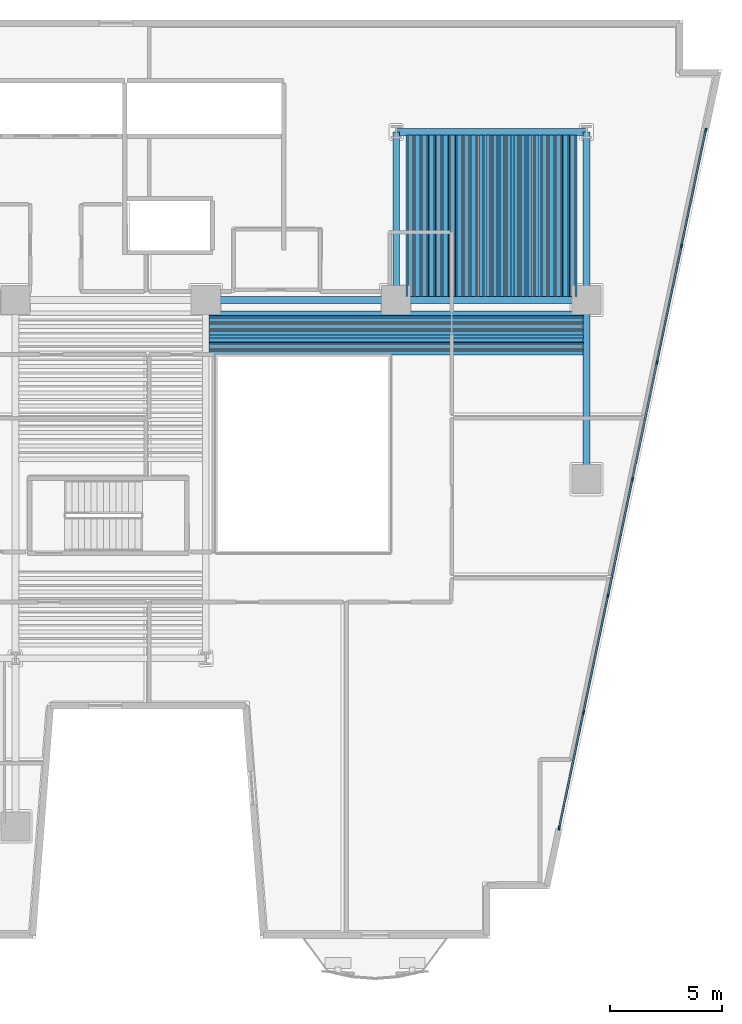
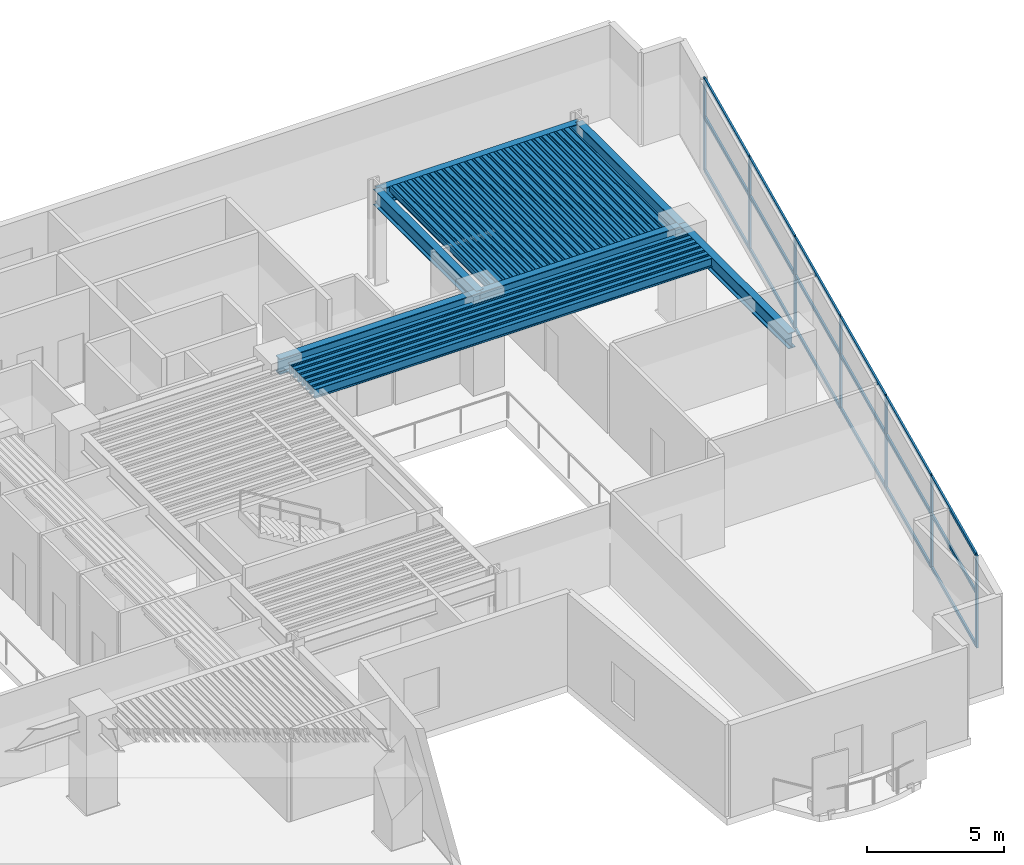
# One storey, part 2 of 11: 68 beams, 25 members, 1 element without a shape of its own.
"""IFC4 building model written with IfcOpenShell, lengths in metres."""

from ifc_helpers import new_model, si_unit, direction, frame, origin, origin_2d, place, context, subcontext, project, spatial, rectangle, hollow_rectangle, i_section, extrude, material, layer, layer_set, material_profile, profile_set, type_object, element, aggregate, save


model = new_model("IFC4")

# Units and contexts
model_context = context("Model", 3, precision=1e-05, world=origin(), true_north=direction((0.0, 1.0)))
body_context = subcontext(model_context, "Body", "Model", "MODEL_VIEW")
ifc_project = project(units=[si_unit("LENGTHUNIT", "METRE"), si_unit("AREAUNIT", "SQUARE_METRE"), si_unit("VOLUMEUNIT", "CUBIC_METRE"), si_unit("PLANEANGLEUNIT", "RADIAN"), si_unit("MASSUNIT", "GRAM", prefix="KILO")], contexts=[model_context])

# Site, building, storey
site_placement = place(None, origin())
site = spatial("IfcSite", under=ifc_project, at=site_placement, CompositionType="ELEMENT")
building_placement = place(site_placement, origin())
building = spatial("IfcBuilding", under=site, at=building_placement, Name="Caeloran Harvest Quay", CompositionType="ELEMENT")
storey_placement = place(building_placement, frame((0.0, 0.0, 62.199951171875)))
storey = spatial("IfcBuildingStorey", under=building, at=storey_placement, Name="L14", CompositionType="ELEMENT", Elevation=62.199951171875)

# Beams
ifc_material_1 = material(Name="Steel S355J2", Category="steel")
ifc_material_profile_1 = material_profile(ifc_material_1, i_section(OverallWidth=0.300048828125, OverallDepth=0.699951171875, WebThickness=0.01708984375, FlangeThickness=0.031982421875, FilletRadius=0.027099609375, at=origin_2d()), Name="HE 700 B")
ifc_profile_set_1 = profile_set([ifc_material_profile_1], Name="Steel S355J2")
beam_type_1 = type_object("IfcBeamType", Name="BM-PG-2-HE_700_B", PredefinedType="BEAM", material=ifc_profile_set_1)
for number, where, z_axis, x_axis, name in (
    (1, (34.0, 31.0, 3.75), (1.0, 0.0, 0.0), (0.0, 1.0, 0.0), "L14 Primary East-West Girder Y=31.0"),
    (2, (42.5, 31.0, 3.75), (1.0, 0.0, 0.0), (0.0, 1.0, 0.0), "L14 Primary East-West Girder Y=31.0"),
    (3, (42.5, 38.5, 3.75), (1.0, 0.0, 0.0), (0.0, 1.0, 0.0), "L14 Primary East-West Girder Y=38.5"),
):
    element("IfcBeam", number, at=place(storey_placement, frame(where, z_axis=z_axis, x_axis=x_axis)), inside=storey, type_object=beam_type_1, Name=name, PredefinedType="BEAM", context=body_context, shape_type="SweptSolid", body=[
        extrude(i_section(OverallWidth=0.300048828125, OverallDepth=0.699951171875, WebThickness=0.01708984375, FlangeThickness=0.031982421875, FilletRadius=0.027099609375, at=origin_2d()), origin(), (0.0, 0.0, 1.0), 8.5),
    ])
beam_1_placement = place(storey_placement, frame((42.5, 31.0, 3.75), z_axis=(0.0, 1.0, 0.0), x_axis=(-1.0, 0.0, 0.0)))
element("IfcBeam", 4, at=beam_1_placement, inside=storey, type_object=beam_type_1, Name="L14 Primary North-South Girder X=42.5", PredefinedType="BEAM", context=body_context, shape_type="SweptSolid", body=[
    extrude(i_section(OverallWidth=0.300048828125, OverallDepth=0.699951171875, WebThickness=0.01708984375, FlangeThickness=0.031982421875, FilletRadius=0.027099609375, at=origin_2d()), origin(), (0.0, 0.0, 1.0), 7.5),
])
beam_2_placement = place(storey_placement, frame((51.0, 23.0, 3.75), z_axis=(0.0, 1.0, 0.0), x_axis=(-1.0, 0.0, 0.0)))
element("IfcBeam", 5, at=beam_2_placement, inside=storey, type_object=beam_type_1, Name="L14 Primary North-South Girder X=51.0", PredefinedType="BEAM", context=body_context, shape_type="SweptSolid", body=[
    extrude(i_section(OverallWidth=0.300048828125, OverallDepth=0.699951171875, WebThickness=0.01708984375, FlangeThickness=0.031982421875, FilletRadius=0.027099609375, at=origin_2d()), origin(), (0.0, 0.0, 1.0), 8.0),
])
beam_3_placement = place(storey_placement, frame((51.0, 31.0, 3.75), z_axis=(0.0, 1.0, 0.0), x_axis=(-1.0, 0.0, 0.0)))
element("IfcBeam", 6, at=beam_3_placement, inside=storey, type_object=beam_type_1, Name="L14 Primary North-South Girder X=51.0", PredefinedType="BEAM", context=body_context, shape_type="SweptSolid", body=[
    extrude(i_section(OverallWidth=0.300048828125, OverallDepth=0.699951171875, WebThickness=0.01708984375, FlangeThickness=0.031982421875, FilletRadius=0.027099609375, at=origin_2d()), origin(), (0.0, 0.0, 1.0), 7.5),
])
ifc_material_profile_2 = material_profile(ifc_material_1, i_section(OverallWidth=0.179931640625, OverallDepth=0.39990234375, WebThickness=0.008544921875, FlangeThickness=0.013427734375, FilletRadius=0.02099609375, at=origin_2d()), Name="IPE 400")
ifc_profile_set_2 = profile_set([ifc_material_profile_2], Name="Steel S355J2")
beam_type_2 = type_object("IfcBeamType", Name="BM-SB-4-IPE_400", PredefinedType="JOIST", material=ifc_profile_set_2)
for number, where, z_axis, x_axis, name in (
    (7, (43.129638671875, 31.14501953125, 3.900146484375), (0.0, 1.0, 0.0), (-1.0, 0.0, 0.0), "L14 Secondary Composite Joist"),
    (8, (43.4443359375, 31.14501953125, 3.900146484375), (0.0, 1.0, 0.0), (-1.0, 0.0, 0.0), "L14 Secondary Composite Joist"),
    (9, (43.75927734375, 31.14501953125, 3.900146484375), (0.0, 1.0, 0.0), (-1.0, 0.0, 0.0), "L14 Secondary Composite Joist"),
    (10, (44.07421875, 31.14501953125, 3.900146484375), (0.0, 1.0, 0.0), (-1.0, 0.0, 0.0), "L14 Secondary Composite Joist"),
    (11, (44.388916015625, 31.14501953125, 3.900146484375), (0.0, 1.0, 0.0), (-1.0, 0.0, 0.0), "L14 Secondary Composite Joist"),
    (12, (44.70361328125, 31.14501953125, 3.900146484375), (0.0, 1.0, 0.0), (-1.0, 0.0, 0.0), "L14 Secondary Composite Joist"),
    (13, (45.0185546875, 31.14501953125, 3.900146484375), (0.0, 1.0, 0.0), (-1.0, 0.0, 0.0), "L14 Secondary Composite Joist"),
    (14, (45.333251953125, 31.14501953125, 3.900146484375), (0.0, 1.0, 0.0), (-1.0, 0.0, 0.0), "L14 Secondary Composite Joist"),
    (15, (45.648193359375, 31.14501953125, 3.900146484375), (0.0, 1.0, 0.0), (-1.0, 0.0, 0.0), "L14 Secondary Composite Joist"),
    (16, (45.962890625, 31.14501953125, 3.900146484375), (0.0, 1.0, 0.0), (-1.0, 0.0, 0.0), "L14 Secondary Composite Joist"),
    (17, (46.27783203125, 31.14501953125, 3.900146484375), (0.0, 1.0, 0.0), (-1.0, 0.0, 0.0), "L14 Secondary Composite Joist"),
    (18, (46.592529296875, 31.14501953125, 3.900146484375), (0.0, 1.0, 0.0), (-1.0, 0.0, 0.0), "L14 Secondary Composite Joist"),
    (19, (46.907470703125, 31.14501953125, 3.900146484375), (0.0, 1.0, 0.0), (-1.0, 0.0, 0.0), "L14 Secondary Composite Joist"),
    (20, (47.22216796875, 31.14501953125, 3.900146484375), (0.0, 1.0, 0.0), (-1.0, 0.0, 0.0), "L14 Secondary Composite Joist"),
    (21, (47.537109375, 31.14501953125, 3.900146484375), (0.0, 1.0, 0.0), (-1.0, 0.0, 0.0), "L14 Secondary Composite Joist"),
    (22, (47.851806640625, 31.14501953125, 3.900146484375), (0.0, 1.0, 0.0), (-1.0, 0.0, 0.0), "L14 Secondary Composite Joist"),
    (23, (48.166748046875, 31.14501953125, 3.900146484375), (0.0, 1.0, 0.0), (-1.0, 0.0, 0.0), "L14 Secondary Composite Joist"),
    (24, (48.4814453125, 31.14501953125, 3.900146484375), (0.0, 1.0, 0.0), (-1.0, 0.0, 0.0), "L14 Secondary Composite Joist"),
    (25, (48.79638671875, 31.14501953125, 3.900146484375), (0.0, 1.0, 0.0), (-1.0, 0.0, 0.0), "L14 Secondary Composite Joist"),
    (26, (49.111083984375, 31.14501953125, 3.900146484375), (0.0, 1.0, 0.0), (-1.0, 0.0, 0.0), "L14 Secondary Composite Joist"),
    (27, (49.42578125, 31.14501953125, 3.900146484375), (0.0, 1.0, 0.0), (-1.0, 0.0, 0.0), "L14 Secondary Composite Joist"),
    (28, (49.74072265625, 31.14501953125, 3.900146484375), (0.0, 1.0, 0.0), (-1.0, 0.0, 0.0), "L14 Secondary Composite Joist"),
    (29, (50.0556640625, 31.14501953125, 3.900146484375), (0.0, 1.0, 0.0), (-1.0, 0.0, 0.0), "L14 Secondary Composite Joist"),
    (30, (50.370361328125, 31.14501953125, 3.900146484375), (0.0, 1.0, 0.0), (-1.0, 0.0, 0.0), "L14 Secondary Composite Joist"),
):
    element("IfcBeam", number, at=place(storey_placement, frame(where, z_axis=z_axis, x_axis=x_axis)), inside=storey, type_object=beam_type_2, Name=name, PredefinedType="JOIST", context=body_context, shape_type="SweptSolid", body=[
        extrude(i_section(OverallWidth=0.179931640625, OverallDepth=0.39990234375, WebThickness=0.008544921875, FlangeThickness=0.013427734375, FilletRadius=0.02099609375, at=origin_2d()), origin(), (0.0, 0.0, 1.0), 7.2099609375),
    ])
for number, where, z_axis, x_axis, name in (
    (31, (34.14501953125, 28.629638671875, 3.900146484375), (1.0, 0.0, 0.0), (0.0, 1.0, 0.0), "L14 Secondary East-West Composite Joist"),
    (32, (34.14501953125, 28.92578125, 3.900146484375), (1.0, 0.0, 0.0), (0.0, 1.0, 0.0), "L14 Secondary East-West Composite Joist"),
    (33, (34.14501953125, 29.22216796875, 3.900146484375), (1.0, 0.0, 0.0), (0.0, 1.0, 0.0), "L14 Secondary East-West Composite Joist"),
    (34, (34.14501953125, 29.5185546875, 3.900146484375), (1.0, 0.0, 0.0), (0.0, 1.0, 0.0), "L14 Secondary East-West Composite Joist"),
    (35, (34.14501953125, 29.814697265625, 3.900146484375), (1.0, 0.0, 0.0), (0.0, 1.0, 0.0), "L14 Secondary East-West Composite Joist"),
    (36, (34.14501953125, 30.111083984375, 3.900146484375), (1.0, 0.0, 0.0), (0.0, 1.0, 0.0), "L14 Secondary East-West Composite Joist"),
    (37, (34.14501953125, 30.407470703125, 3.900146484375), (1.0, 0.0, 0.0), (0.0, 1.0, 0.0), "L14 Secondary East-West Composite Joist"),
):
    element("IfcBeam", number, at=place(storey_placement, frame(where, z_axis=z_axis, x_axis=x_axis)), inside=storey, type_object=beam_type_2, Name=name, PredefinedType="JOIST", context=body_context, shape_type="SweptSolid", body=[
        extrude(i_section(OverallWidth=0.179931640625, OverallDepth=0.39990234375, WebThickness=0.008544921875, FlangeThickness=0.013427734375, FilletRadius=0.02099609375, at=origin_2d()), origin(), (0.0, 0.0, 1.0), 16.7099609375),
    ])
ifc_material_profile_3 = material_profile(ifc_material_1, hollow_rectangle(XDim=0.080078125, YDim=0.199951171875, WallThickness=0.006103515625, InnerFilletRadius=0.006103515625, OuterFilletRadius=0.009033203125, at=origin_2d()), Name="RHS 200x80x6")
ifc_profile_set_3 = profile_set([ifc_material_profile_3], Name="Steel S355J2")
beam_type_3 = type_object("IfcBeamType", Name="BM-SB-7-RHS_200x80x6", PredefinedType="JOIST", material=ifc_profile_set_3)
for number, where, z_axis, x_axis, name in (
    (38, (42.97216796875, 31.14501953125, 4.0), (0.0, 1.0, 0.0), (-1.0, 0.0, 0.0), "L14 Secondary Composite Joist"),
    (39, (43.287109375, 31.14501953125, 4.0), (0.0, 1.0, 0.0), (-1.0, 0.0, 0.0), "L14 Secondary Composite Joist"),
    (40, (43.601806640625, 31.14501953125, 4.0), (0.0, 1.0, 0.0), (-1.0, 0.0, 0.0), "L14 Secondary Composite Joist"),
    (41, (43.916748046875, 31.14501953125, 4.0), (0.0, 1.0, 0.0), (-1.0, 0.0, 0.0), "L14 Secondary Composite Joist"),
    (42, (44.2314453125, 31.14501953125, 4.0), (0.0, 1.0, 0.0), (-1.0, 0.0, 0.0), "L14 Secondary Composite Joist"),
    (43, (44.54638671875, 31.14501953125, 4.0), (0.0, 1.0, 0.0), (-1.0, 0.0, 0.0), "L14 Secondary Composite Joist"),
    (44, (44.861083984375, 31.14501953125, 4.0), (0.0, 1.0, 0.0), (-1.0, 0.0, 0.0), "L14 Secondary Composite Joist"),
    (45, (45.17578125, 31.14501953125, 4.0), (0.0, 1.0, 0.0), (-1.0, 0.0, 0.0), "L14 Secondary Composite Joist"),
    (46, (45.49072265625, 31.14501953125, 4.0), (0.0, 1.0, 0.0), (-1.0, 0.0, 0.0), "L14 Secondary Composite Joist"),
    (47, (45.8056640625, 31.14501953125, 4.0), (0.0, 1.0, 0.0), (-1.0, 0.0, 0.0), "L14 Secondary Composite Joist"),
    (48, (46.120361328125, 31.14501953125, 4.0), (0.0, 1.0, 0.0), (-1.0, 0.0, 0.0), "L14 Secondary Composite Joist"),
    (49, (46.435302734375, 31.14501953125, 4.0), (0.0, 1.0, 0.0), (-1.0, 0.0, 0.0), "L14 Secondary Composite Joist"),
    (50, (46.75, 31.14501953125, 4.0), (0.0, 1.0, 0.0), (-1.0, 0.0, 0.0), "L14 Secondary Composite Joist"),
    (51, (47.064697265625, 31.14501953125, 4.0), (0.0, 1.0, 0.0), (-1.0, 0.0, 0.0), "L14 Secondary Composite Joist"),
    (52, (47.379638671875, 31.14501953125, 4.0), (0.0, 1.0, 0.0), (-1.0, 0.0, 0.0), "L14 Secondary Composite Joist"),
    (53, (47.6943359375, 31.14501953125, 4.0), (0.0, 1.0, 0.0), (-1.0, 0.0, 0.0), "L14 Secondary Composite Joist"),
    (54, (48.00927734375, 31.14501953125, 4.0), (0.0, 1.0, 0.0), (-1.0, 0.0, 0.0), "L14 Secondary Composite Joist"),
    (55, (48.32421875, 31.14501953125, 4.0), (0.0, 1.0, 0.0), (-1.0, 0.0, 0.0), "L14 Secondary Composite Joist"),
    (56, (48.638916015625, 31.14501953125, 4.0), (0.0, 1.0, 0.0), (-1.0, 0.0, 0.0), "L14 Secondary Composite Joist"),
    (57, (48.95361328125, 31.14501953125, 4.0), (0.0, 1.0, 0.0), (-1.0, 0.0, 0.0), "L14 Secondary Composite Joist"),
    (58, (49.2685546875, 31.14501953125, 4.0), (0.0, 1.0, 0.0), (-1.0, 0.0, 0.0), "L14 Secondary Composite Joist"),
    (59, (49.583251953125, 31.14501953125, 4.0), (0.0, 1.0, 0.0), (-1.0, 0.0, 0.0), "L14 Secondary Composite Joist"),
    (60, (49.898193359375, 31.14501953125, 4.0), (0.0, 1.0, 0.0), (-1.0, 0.0, 0.0), "L14 Secondary Composite Joist"),
    (61, (50.212890625, 31.14501953125, 4.0), (0.0, 1.0, 0.0), (-1.0, 0.0, 0.0), "L14 Secondary Composite Joist"),
    (62, (50.52783203125, 31.14501953125, 4.0), (0.0, 1.0, 0.0), (-1.0, 0.0, 0.0), "L14 Secondary Composite Joist"),
):
    element("IfcBeam", number, at=place(storey_placement, frame(where, z_axis=z_axis, x_axis=x_axis)), inside=storey, type_object=beam_type_3, Name=name, PredefinedType="JOIST", context=body_context, shape_type="SweptSolid", body=[
        extrude(hollow_rectangle(XDim=0.080078125, YDim=0.199951171875, WallThickness=0.006103515625, InnerFilletRadius=0.006103515625, OuterFilletRadius=0.009033203125, at=origin_2d()), origin(), (0.0, 0.0, 1.0), 7.2099609375),
    ])
for number, where, z_axis, x_axis, name in (
    (63, (34.14501953125, 28.77783203125, 4.0), (1.0, 0.0, 0.0), (0.0, 1.0, 0.0), "L14 Secondary East-West Composite Joist"),
    (64, (34.14501953125, 29.07421875, 4.0), (1.0, 0.0, 0.0), (0.0, 1.0, 0.0), "L14 Secondary East-West Composite Joist"),
    (65, (34.14501953125, 29.370361328125, 4.0), (1.0, 0.0, 0.0), (0.0, 1.0, 0.0), "L14 Secondary East-West Composite Joist"),
    (66, (34.14501953125, 29.666748046875, 4.0), (1.0, 0.0, 0.0), (0.0, 1.0, 0.0), "L14 Secondary East-West Composite Joist"),
    (67, (34.14501953125, 29.962890625, 4.0), (1.0, 0.0, 0.0), (0.0, 1.0, 0.0), "L14 Secondary East-West Composite Joist"),
    (68, (34.14501953125, 30.25927734375, 4.0), (1.0, 0.0, 0.0), (0.0, 1.0, 0.0), "L14 Secondary East-West Composite Joist"),
):
    element("IfcBeam", number, at=place(storey_placement, frame(where, z_axis=z_axis, x_axis=x_axis)), inside=storey, type_object=beam_type_3, Name=name, PredefinedType="JOIST", context=body_context, shape_type="SweptSolid", body=[
        extrude(hollow_rectangle(XDim=0.080078125, YDim=0.199951171875, WallThickness=0.006103515625, InnerFilletRadius=0.006103515625, OuterFilletRadius=0.009033203125, at=origin_2d()), origin(), (0.0, 0.0, 1.0), 16.7099609375),
    ])

# Curtain wall, members
ifc_material_2 = material(Name="Aluminium 6063-T6 and Low-E Glazing", Category="aluminium")
ifc_layer = layer(ifc_material_2, 0.199951171875, Name="Aluminium 6063-T6 and Low-E Glazing")
ifc_layer_set = layer_set([ifc_layer], Name="Aluminium 6063-T6 and Low-E Glazing")
curtain_wall_type = type_object("IfcCurtainWallType", Name="CW-SYS-CW-2", PredefinedType="USERDEFINED", material=ifc_layer_set)
curtain_wall_placement = place(storey_placement, origin())
curtain_wall = element("IfcCurtainWall", 69, at=curtain_wall_placement, inside=storey, type_object=curtain_wall_type, Name="L14 Unitised Curtain Wall CW-2 Run 9", ObjectType="CURTAIN_WALL", PredefinedType="USERDEFINED")
ifc_material_3 = material(Name="Aluminium 6063-T6", Category="aluminium")
ifc_material_profile_4 = material_profile(ifc_material_3, rectangle(XDim=0.080078125, YDim=0.179931640625, at=origin_2d()), Name="CW-MULLION-180")
ifc_profile_set_4 = profile_set([ifc_material_profile_4], Name="Aluminium 6063-T6")
member_type_1 = type_object("IfcMemberType", Name="CW-MULLION-180", PredefinedType="MULLION", material=ifc_profile_set_4)
member_1_placement = place(storey_placement, frame((56.322509765625, 38.576416015625, 0.0), z_axis=(0.0, 0.0, 1.0), x_axis=(0.978639691881, -0.205582960081, 0.0)))
member_1 = element("IfcMember", 70, at=member_1_placement, type_object=member_type_1, Name="CW-2 mullion 1", PredefinedType="MULLION", context=body_context, shape_type="SweptSolid", body=[
    extrude(rectangle(XDim=0.080078125, YDim=0.179931640625, at=origin_2d()), origin(), (0.0, 0.0, 1.0), 4.10009765625),
])
member_2_placement = place(storey_placement, frame((55.2373046875, 33.410400390625, 0.0), z_axis=(0.0, 0.0, 1.0), x_axis=(0.978639691881, -0.205582960081, 0.0)))
member_2 = element("IfcMember", 71, at=member_2_placement, type_object=member_type_1, Name="CW-2 mullion 2", PredefinedType="MULLION", context=body_context, shape_type="SweptSolid", body=[
    extrude(rectangle(XDim=0.080078125, YDim=0.179931640625, at=origin_2d()), origin(), (0.0, 0.0, 1.0), 4.10009765625),
])
member_3_placement = place(storey_placement, frame((54.143798828125, 28.205078125, 0.0), z_axis=(0.0, 0.0, 1.0), x_axis=(0.978639691881, -0.205582960081, 0.0)))
member_3 = element("IfcMember", 72, at=member_3_placement, type_object=member_type_1, Name="CW-2 mullion 3", PredefinedType="MULLION", context=body_context, shape_type="SweptSolid", body=[
    extrude(rectangle(XDim=0.080078125, YDim=0.179931640625, at=origin_2d()), origin(), (0.0, 0.0, 1.0), 4.10009765625),
])
member_4_placement = place(storey_placement, frame((53.050537109375, 23.0, 0.0), z_axis=(0.0, 0.0, 1.0), x_axis=(0.978639691881, -0.205582960081, 0.0)))
member_4 = element("IfcMember", 73, at=member_4_placement, type_object=member_type_1, Name="CW-2 mullion 4", PredefinedType="MULLION", context=body_context, shape_type="SweptSolid", body=[
    extrude(rectangle(XDim=0.080078125, YDim=0.179931640625, at=origin_2d()), origin(), (0.0, 0.0, 1.0), 4.10009765625),
])
member_5_placement = place(storey_placement, frame((51.95703125, 17.794921875, 0.0), z_axis=(0.0, 0.0, 1.0), x_axis=(0.978639691881, -0.205582960081, 0.0)))
member_5 = element("IfcMember", 74, at=member_5_placement, type_object=member_type_1, Name="CW-2 mullion 5", PredefinedType="MULLION", context=body_context, shape_type="SweptSolid", body=[
    extrude(rectangle(XDim=0.080078125, YDim=0.179931640625, at=origin_2d()), origin(), (0.0, 0.0, 1.0), 4.10009765625),
])
member_6_placement = place(storey_placement, frame((50.863525390625, 12.589599609375, 0.0), z_axis=(0.0, 0.0, 1.0), x_axis=(0.978639691881, -0.205582960081, 0.0)))
member_6 = element("IfcMember", 75, at=member_6_placement, type_object=member_type_1, Name="CW-2 mullion 6", PredefinedType="MULLION", context=body_context, shape_type="SweptSolid", body=[
    extrude(rectangle(XDim=0.080078125, YDim=0.179931640625, at=origin_2d()), origin(), (0.0, 0.0, 1.0), 4.10009765625),
])
member_7_placement = place(storey_placement, frame((49.7783203125, 7.423583984375, 0.0), z_axis=(0.0, 0.0, 1.0), x_axis=(0.978639691881, -0.205582960081, 0.0)))
member_7 = element("IfcMember", 76, at=member_7_placement, type_object=member_type_1, Name="CW-2 mullion 7", PredefinedType="MULLION", context=body_context, shape_type="SweptSolid", body=[
    extrude(rectangle(XDim=0.080078125, YDim=0.179931640625, at=origin_2d()), origin(), (0.0, 0.0, 1.0), 4.10009765625),
])
ifc_material_profile_5 = material_profile(ifc_material_3, rectangle(XDim=0.080078125, YDim=0.14990234375, at=origin_2d()), Name="CW-TRANSOM-150")
ifc_profile_set_5 = profile_set([ifc_material_profile_5], Name="Aluminium 6063-T6")
member_type_2 = type_object("IfcMemberType", Name="CW-TRANSOM-150", PredefinedType="USERDEFINED", material=ifc_profile_set_5)
member_8_placement = place(storey_placement, frame((56.314453125, 38.537109375, 0.0400390625), z_axis=(-0.205598644178, -0.978636396989, 0.0), x_axis=(0.978636396989, -0.205598644178, 0.0)))
member_8 = element("IfcMember", 77, at=member_8_placement, type_object=member_type_2, Name="CW-2 transom 1.1", ObjectType="TRANSOM", PredefinedType="USERDEFINED", context=body_context, shape_type="SweptSolid", body=[
    extrude(rectangle(XDim=0.080078125, YDim=0.14990234375, at=origin_2d()), origin(), (0.0, 0.0, 1.0), 5.19873046875),
])
member_9_placement = place(storey_placement, frame((56.314453125, 38.537109375, 2.400146484375), z_axis=(-0.205598644178, -0.978636396989, 0.0), x_axis=(0.978636396989, -0.205598644178, 0.0)))
member_9 = element("IfcMember", 78, at=member_9_placement, type_object=member_type_2, Name="CW-2 transom 1.2", ObjectType="TRANSOM", PredefinedType="USERDEFINED", context=body_context, shape_type="SweptSolid", body=[
    extrude(rectangle(XDim=0.080078125, YDim=0.14990234375, at=origin_2d()), origin(), (0.0, 0.0, 1.0), 5.19873046875),
])
member_10_placement = place(storey_placement, frame((56.314453125, 38.537109375, 4.06005859375), z_axis=(-0.205598644178, -0.978636396989, 0.0), x_axis=(0.978636396989, -0.205598644178, 0.0)))
member_10 = element("IfcMember", 79, at=member_10_placement, type_object=member_type_2, Name="CW-2 transom 1.3", ObjectType="TRANSOM", PredefinedType="USERDEFINED", context=body_context, shape_type="SweptSolid", body=[
    extrude(rectangle(XDim=0.080078125, YDim=0.14990234375, at=origin_2d()), origin(), (0.0, 0.0, 1.0), 5.19873046875),
])
member_11_placement = place(storey_placement, frame((55.229248046875, 33.37109375, 0.0400390625), z_axis=(-0.205615877389, -0.97863277636, 0.0), x_axis=(0.97863277636, -0.205615877389, 0.0)))
member_11 = element("IfcMember", 80, at=member_11_placement, type_object=member_type_2, Name="CW-2 transom 2.1", ObjectType="TRANSOM", PredefinedType="USERDEFINED", context=body_context, shape_type="SweptSolid", body=[
    extrude(rectangle(XDim=0.080078125, YDim=0.14990234375, at=origin_2d()), origin(), (0.0, 0.0, 1.0), 5.238525390625),
])
member_12_placement = place(storey_placement, frame((55.229248046875, 33.37109375, 2.400146484375), z_axis=(-0.205615877389, -0.97863277636, 0.0), x_axis=(0.97863277636, -0.205615877389, 0.0)))
member_12 = element("IfcMember", 81, at=member_12_placement, type_object=member_type_2, Name="CW-2 transom 2.2", ObjectType="TRANSOM", PredefinedType="USERDEFINED", context=body_context, shape_type="SweptSolid", body=[
    extrude(rectangle(XDim=0.080078125, YDim=0.14990234375, at=origin_2d()), origin(), (0.0, 0.0, 1.0), 5.238525390625),
])
member_13_placement = place(storey_placement, frame((55.229248046875, 33.37109375, 4.06005859375), z_axis=(-0.205615877389, -0.97863277636, 0.0), x_axis=(0.97863277636, -0.205615877389, 0.0)))
member_13 = element("IfcMember", 82, at=member_13_placement, type_object=member_type_2, Name="CW-2 transom 2.3", ObjectType="TRANSOM", PredefinedType="USERDEFINED", context=body_context, shape_type="SweptSolid", body=[
    extrude(rectangle(XDim=0.080078125, YDim=0.14990234375, at=origin_2d()), origin(), (0.0, 0.0, 1.0), 5.238525390625),
])
member_14_placement = place(storey_placement, frame((54.1357421875, 28.166015625, 0.0400390625), z_axis=(-0.205606500081, -0.978634746534, 0.0), x_axis=(0.978634746534, -0.205606500081, 0.0)))
member_14 = element("IfcMember", 83, at=member_14_placement, type_object=member_type_2, Name="CW-2 transom 3.1", ObjectType="TRANSOM", PredefinedType="USERDEFINED", context=body_context, shape_type="SweptSolid", body=[
    extrude(rectangle(XDim=0.080078125, YDim=0.14990234375, at=origin_2d()), origin(), (0.0, 0.0, 1.0), 5.23876953125),
])
member_15_placement = place(storey_placement, frame((54.1357421875, 28.166015625, 2.400146484375), z_axis=(-0.205606500081, -0.978634746534, 0.0), x_axis=(0.978634746534, -0.205606500081, 0.0)))
member_15 = element("IfcMember", 84, at=member_15_placement, type_object=member_type_2, Name="CW-2 transom 3.2", ObjectType="TRANSOM", PredefinedType="USERDEFINED", context=body_context, shape_type="SweptSolid", body=[
    extrude(rectangle(XDim=0.080078125, YDim=0.14990234375, at=origin_2d()), origin(), (0.0, 0.0, 1.0), 5.23876953125),
])
member_16_placement = place(storey_placement, frame((54.1357421875, 28.166015625, 4.06005859375), z_axis=(-0.205606500081, -0.978634746534, 0.0), x_axis=(0.978634746534, -0.205606500081, 0.0)))
member_16 = element("IfcMember", 85, at=member_16_placement, type_object=member_type_2, Name="CW-2 transom 3.3", ObjectType="TRANSOM", PredefinedType="USERDEFINED", context=body_context, shape_type="SweptSolid", body=[
    extrude(rectangle(XDim=0.080078125, YDim=0.14990234375, at=origin_2d()), origin(), (0.0, 0.0, 1.0), 5.23876953125),
])
member_17_placement = place(storey_placement, frame((53.042236328125, 22.9609375, 0.0400390625), z_axis=(-0.205561867825, -0.978644122496, 0.0), x_axis=(0.978644122496, -0.205561867825, 0.0)))
member_17 = element("IfcMember", 86, at=member_17_placement, type_object=member_type_2, Name="CW-2 transom 4.1", ObjectType="TRANSOM", PredefinedType="USERDEFINED", context=body_context, shape_type="SweptSolid", body=[
    extrude(rectangle(XDim=0.080078125, YDim=0.14990234375, at=origin_2d()), origin(), (0.0, 0.0, 1.0), 5.23876953125),
])
member_18_placement = place(storey_placement, frame((53.042236328125, 22.9609375, 2.400146484375), z_axis=(-0.205561867825, -0.978644122496, 0.0), x_axis=(0.978644122496, -0.205561867825, 0.0)))
member_18 = element("IfcMember", 87, at=member_18_placement, type_object=member_type_2, Name="CW-2 transom 4.2", ObjectType="TRANSOM", PredefinedType="USERDEFINED", context=body_context, shape_type="SweptSolid", body=[
    extrude(rectangle(XDim=0.080078125, YDim=0.14990234375, at=origin_2d()), origin(), (0.0, 0.0, 1.0), 5.23876953125),
])
member_19_placement = place(storey_placement, frame((53.042236328125, 22.9609375, 4.06005859375), z_axis=(-0.205561867825, -0.978644122496, 0.0), x_axis=(0.978644122496, -0.205561867825, 0.0)))
member_19 = element("IfcMember", 88, at=member_19_placement, type_object=member_type_2, Name="CW-2 transom 4.3", ObjectType="TRANSOM", PredefinedType="USERDEFINED", context=body_context, shape_type="SweptSolid", body=[
    extrude(rectangle(XDim=0.080078125, YDim=0.14990234375, at=origin_2d()), origin(), (0.0, 0.0, 1.0), 5.23876953125),
])
member_20_placement = place(storey_placement, frame((51.94873046875, 17.755615234375, 0.0400390625), z_axis=(-0.205571243277, -0.978642153158, 0.0), x_axis=(0.978642153158, -0.205571243277, 0.0)))
member_20 = element("IfcMember", 89, at=member_20_placement, type_object=member_type_2, Name="CW-2 transom 5.1", ObjectType="TRANSOM", PredefinedType="USERDEFINED", context=body_context, shape_type="SweptSolid", body=[
    extrude(rectangle(XDim=0.080078125, YDim=0.14990234375, at=origin_2d()), origin(), (0.0, 0.0, 1.0), 5.238525390625),
])
member_21_placement = place(storey_placement, frame((51.94873046875, 17.755615234375, 2.400146484375), z_axis=(-0.205571243277, -0.978642153158, 0.0), x_axis=(0.978642153158, -0.205571243277, 0.0)))
member_21 = element("IfcMember", 90, at=member_21_placement, type_object=member_type_2, Name="CW-2 transom 5.2", ObjectType="TRANSOM", PredefinedType="USERDEFINED", context=body_context, shape_type="SweptSolid", body=[
    extrude(rectangle(XDim=0.080078125, YDim=0.14990234375, at=origin_2d()), origin(), (0.0, 0.0, 1.0), 5.238525390625),
])
member_22_placement = place(storey_placement, frame((51.94873046875, 17.755615234375, 4.06005859375), z_axis=(-0.205571243277, -0.978642153158, 0.0), x_axis=(0.978642153158, -0.205571243277, 0.0)))
member_22 = element("IfcMember", 91, at=member_22_placement, type_object=member_type_2, Name="CW-2 transom 5.3", ObjectType="TRANSOM", PredefinedType="USERDEFINED", context=body_context, shape_type="SweptSolid", body=[
    extrude(rectangle(XDim=0.080078125, YDim=0.14990234375, at=origin_2d()), origin(), (0.0, 0.0, 1.0), 5.238525390625),
])
member_23_placement = place(storey_placement, frame((50.855224609375, 12.550537109375, 0.0400390625), z_axis=(-0.205553666865, -0.978645845052, 0.0), x_axis=(0.978645845052, -0.205553666865, 0.0)))
member_23 = element("IfcMember", 92, at=member_23_placement, type_object=member_type_2, Name="CW-2 transom 6.1", ObjectType="TRANSOM", PredefinedType="USERDEFINED", context=body_context, shape_type="SweptSolid", body=[
    extrude(rectangle(XDim=0.080078125, YDim=0.14990234375, at=origin_2d()), origin(), (0.0, 0.0, 1.0), 5.19873046875),
])
member_24_placement = place(storey_placement, frame((50.855224609375, 12.550537109375, 2.400146484375), z_axis=(-0.205553666865, -0.978645845052, 0.0), x_axis=(0.978645845052, -0.205553666865, 0.0)))
member_24 = element("IfcMember", 93, at=member_24_placement, type_object=member_type_2, Name="CW-2 transom 6.2", ObjectType="TRANSOM", PredefinedType="USERDEFINED", context=body_context, shape_type="SweptSolid", body=[
    extrude(rectangle(XDim=0.080078125, YDim=0.14990234375, at=origin_2d()), origin(), (0.0, 0.0, 1.0), 5.19873046875),
])
member_25_placement = place(storey_placement, frame((50.855224609375, 12.550537109375, 4.06005859375), z_axis=(-0.205553666865, -0.978645845052, 0.0), x_axis=(0.978645845052, -0.205553666865, 0.0)))
member_25 = element("IfcMember", 94, at=member_25_placement, type_object=member_type_2, Name="CW-2 transom 6.3", ObjectType="TRANSOM", PredefinedType="USERDEFINED", context=body_context, shape_type="SweptSolid", body=[
    extrude(rectangle(XDim=0.080078125, YDim=0.14990234375, at=origin_2d()), origin(), (0.0, 0.0, 1.0), 5.19873046875),
])
aggregate(curtain_wall, [member_1, member_2, member_3, member_4, member_5, member_6, member_7, member_8, member_9, member_10, member_11, member_12, member_13, member_14, member_15, member_16, member_17, member_18, member_19, member_20, member_21, member_22, member_23, member_24, member_25])

save(model, "model.ifc")
